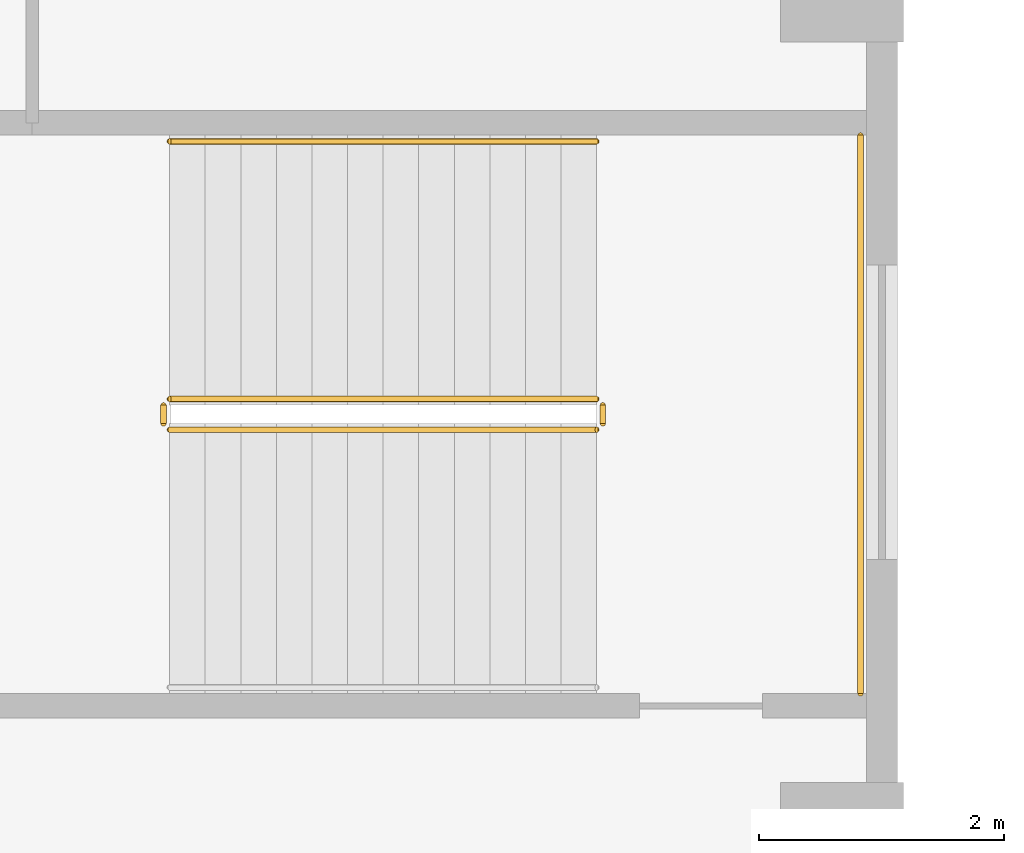
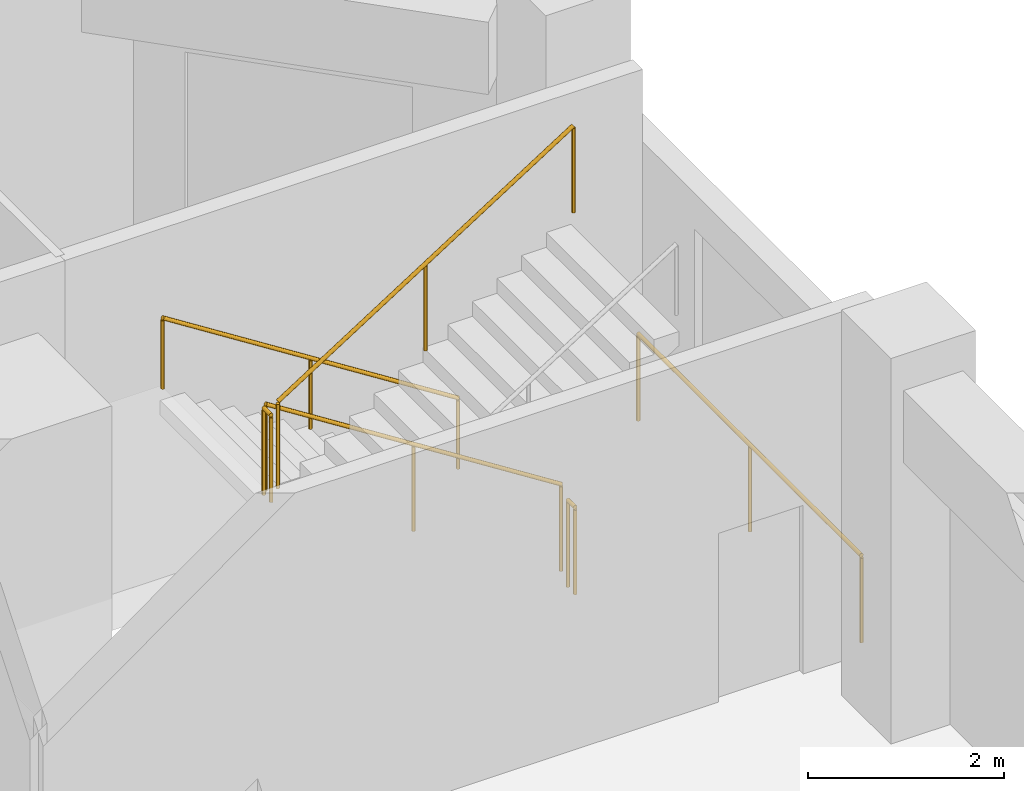
# One storey, part 14 of 15: 6 railings.
"""IFC4 building model written with IfcOpenShell, lengths in metres."""

from ifc_helpers import new_model, si_unit, direction, frame, origin, origin_2d, place, context, subcontext, project, spatial, circle, extrude, material, type_object, element, save


model = new_model("IFC4")

# Units and contexts
model_context = context("Model", 3, precision=1e-05, world=origin(), true_north=direction((0.0, 1.0)))
body_context = subcontext(model_context, "Body", "Model", "MODEL_VIEW")
ifc_project = project(units=[si_unit("LENGTHUNIT", "METRE"), si_unit("AREAUNIT", "SQUARE_METRE"), si_unit("VOLUMEUNIT", "CUBIC_METRE"), si_unit("PLANEANGLEUNIT", "RADIAN"), si_unit("MASSUNIT", "GRAM", prefix="KILO")], contexts=[model_context])

# Site, building, storey
site_placement = place(None, origin())
site = spatial("IfcSite", under=ifc_project, at=site_placement, CompositionType="ELEMENT")
building_placement = place(site_placement, origin())
building = spatial("IfcBuilding", under=site, at=building_placement, Name="Meshkara Civic Tower", CompositionType="ELEMENT")
storey_placement = place(building_placement, frame((0.0, 0.0, 23.39990234375)))
storey = spatial("IfcBuildingStorey", under=building, at=storey_placement, Name="L04", CompositionType="ELEMENT", Elevation=23.39990234375)

# Railings
ifc_material_1 = material(Name="Steel guard", Category="steel")
railing_type_1 = type_object("IfcRailingType", Name="Podium stair guard 1100", PredefinedType="GUARDRAIL", material=ifc_material_1)
railing_1_placement = place(storey_placement, frame((39.89990234375, 36.425048828125, 0.184814453125)))
element("IfcRailing", 1, at=railing_1_placement, inside=storey, type_object=railing_type_1, Name="L04 PS6 stair guard 1", PredefinedType="GUARDRAIL", context=body_context, shape_type="SweptSolid", body=[
    extrude(circle(Radius=0.02392578125, at=origin_2d()), frame((0.0, 0.0, 1.076171875), z_axis=(-0.843573748531, 0.0, 0.537013343214), x_axis=(0.0, -1.0, 0.0)), (0.0, 0.0, 1.0), 4.125244140625),
    extrude(circle(Radius=0.02099609375, at=origin_2d()), origin(), (0.0, 0.0, 1.0), 1.052001953125),
    extrude(circle(Radius=0.02099609375, at=origin_2d()), frame((-1.739990234375, 0.0, 1.107666015625)), (0.0, 0.0, 1.0), 1.052001953125),
    extrude(circle(Radius=0.02099609375, at=origin_2d()), frame((-3.47998046875, 0.0, 2.21533203125)), (0.0, 0.0, 1.0), 1.052001953125),
])
railing_2_placement = place(storey_placement, frame((36.3701171875, 36.375, 2.400146484375)))
element("IfcRailing", 2, at=railing_2_placement, inside=storey, type_object=railing_type_1, Name="L04 PS6 stair guard 2", PredefinedType="GUARDRAIL", context=body_context, shape_type="SweptSolid", body=[
    extrude(circle(Radius=0.02392578125, at=origin_2d()), frame((0.0, 0.0, 1.076171875), z_axis=(0.0, -1.0, 0.0), x_axis=(1.0, 0.0, 0.0)), (0.0, 0.0, 1.0), 0.14990234375),
    extrude(circle(Radius=0.02099609375, at=origin_2d()), origin(), (0.0, 0.0, 1.0), 1.052001953125),
    extrude(circle(Radius=0.02099609375, at=origin_2d()), frame((0.0, -0.14990234375, 0.0)), (0.0, 0.0, 1.0), 1.052001953125),
])
railing_3_placement = place(storey_placement, frame((36.419921875, 36.175048828125, 2.584716796875)))
element("IfcRailing", 3, at=railing_3_placement, inside=storey, type_object=railing_type_1, Name="L04 PS6 stair guard 3", PredefinedType="GUARDRAIL", context=body_context, shape_type="SweptSolid", body=[
    extrude(circle(Radius=0.02392578125, at=origin_2d()), frame((0.0, 0.0, 1.076171875), z_axis=(0.843573748531, 0.0, 0.537013343214), x_axis=(0.0, 1.0, 0.0)), (0.0, 0.0, 1.0), 4.125244140625),
    extrude(circle(Radius=0.02099609375, at=origin_2d()), origin(), (0.0, 0.0, 1.0), 1.052001953125),
    extrude(circle(Radius=0.02099609375, at=origin_2d()), frame((1.739990234375, 0.0, 1.107666015625)), (0.0, 0.0, 1.0), 1.052001953125),
    extrude(circle(Radius=0.02099609375, at=origin_2d()), frame((3.47998046875, 0.0, 2.21533203125)), (0.0, 0.0, 1.0), 1.052001953125),
])
railing_4_placement = place(storey_placement, frame((39.949951171875, 36.375, 0.0)))
element("IfcRailing", 4, at=railing_4_placement, inside=storey, type_object=railing_type_1, Name="L04 PS6 stair guard 4", PredefinedType="GUARDRAIL", context=body_context, shape_type="SweptSolid", body=[
    extrude(circle(Radius=0.02392578125, at=origin_2d()), frame((0.0, 0.0, 1.076171875), z_axis=(0.0, -1.0, 0.0), x_axis=(1.0, 0.0, 0.0)), (0.0, 0.0, 1.0), 0.14990234375),
    extrude(circle(Radius=0.02099609375, at=origin_2d()), origin(), (0.0, 0.0, 1.0), 1.052001953125),
    extrude(circle(Radius=0.02099609375, at=origin_2d()), frame((0.0, -0.14990234375, 0.0)), (0.0, 0.0, 1.0), 1.052001953125),
])
railing_5_placement = place(storey_placement, frame((42.050048828125, 38.574951171875, 0.0)))
element("IfcRailing", 5, at=railing_5_placement, inside=storey, type_object=railing_type_1, Name="L04 PS6 stair guard 5", PredefinedType="GUARDRAIL", context=body_context, shape_type="SweptSolid", body=[
    extrude(circle(Radius=0.02392578125, at=origin_2d()), frame((0.0, 0.0, 1.076171875), z_axis=(0.0, -1.0, 0.0), x_axis=(1.0, 0.0, 0.0)), (0.0, 0.0, 1.0), 4.550048828125),
    extrude(circle(Radius=0.02099609375, at=origin_2d()), origin(), (0.0, 0.0, 1.0), 1.052001953125),
    extrude(circle(Radius=0.02099609375, at=origin_2d()), frame((0.0, -2.27490234375, 0.0)), (0.0, 0.0, 1.0), 1.052001953125),
    extrude(circle(Radius=0.02099609375, at=origin_2d()), frame((0.0, -4.550048828125, 0.0)), (0.0, 0.0, 1.0), 1.052001953125),
])
ifc_material_2 = material(Name="Steel handrail", Category="steel")
railing_type_2 = type_object("IfcRailingType", Name="Podium stair handrail 900", PredefinedType="HANDRAIL", material=ifc_material_2)
railing_6_placement = place(storey_placement, frame((39.89990234375, 38.52490234375, 0.184814453125)))
element("IfcRailing", 6, at=railing_6_placement, inside=storey, type_object=railing_type_2, Name="L04 PS6 stair handrail 1", PredefinedType="HANDRAIL", context=body_context, shape_type="SweptSolid", body=[
    extrude(circle(Radius=0.02392578125, at=origin_2d()), frame((0.0, 0.0, 0.8759765625), z_axis=(-0.843573748531, 0.0, 0.537013343214), x_axis=(0.0, -1.0, 0.0)), (0.0, 0.0, 1.0), 4.125244140625),
    extrude(circle(Radius=0.02099609375, at=origin_2d()), origin(), (0.0, 0.0, 1.0), 0.851806640625),
    extrude(circle(Radius=0.02099609375, at=origin_2d()), frame((-1.739990234375, 0.0, 1.107666015625)), (0.0, 0.0, 1.0), 0.851806640625),
    extrude(circle(Radius=0.02099609375, at=origin_2d()), frame((-3.47998046875, 0.0, 2.21533203125)), (0.0, 0.0, 1.0), 0.851806640625),
])

save(model, "model.ifc")
